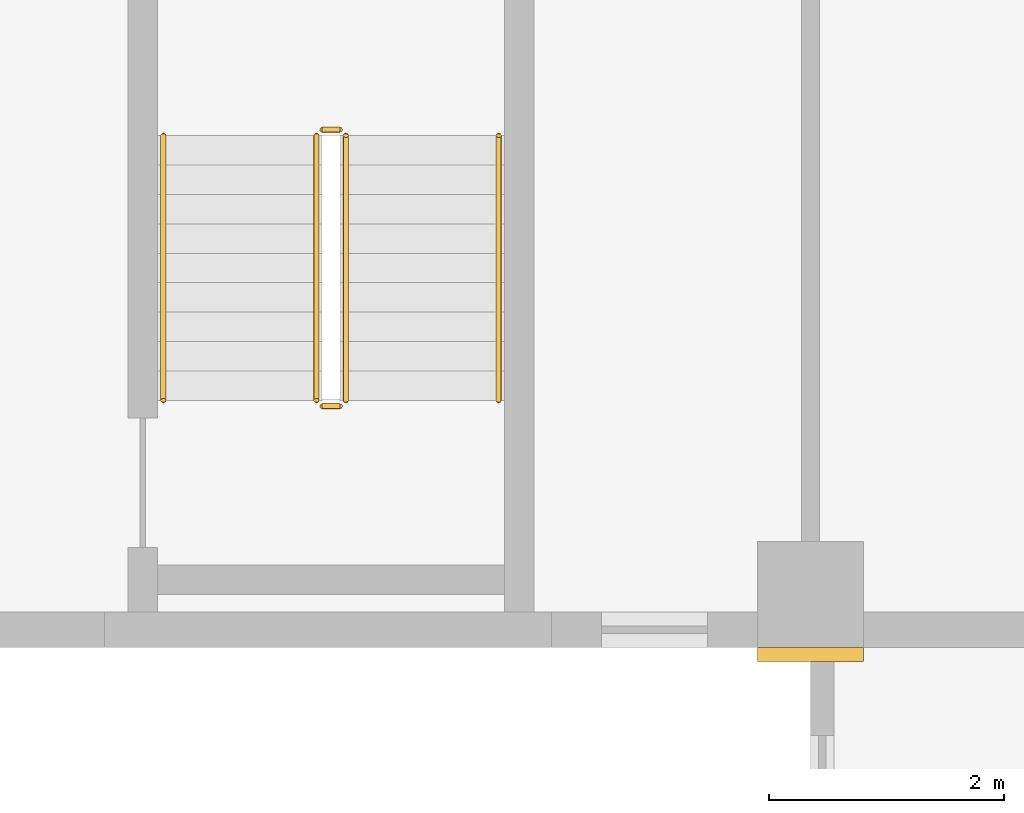
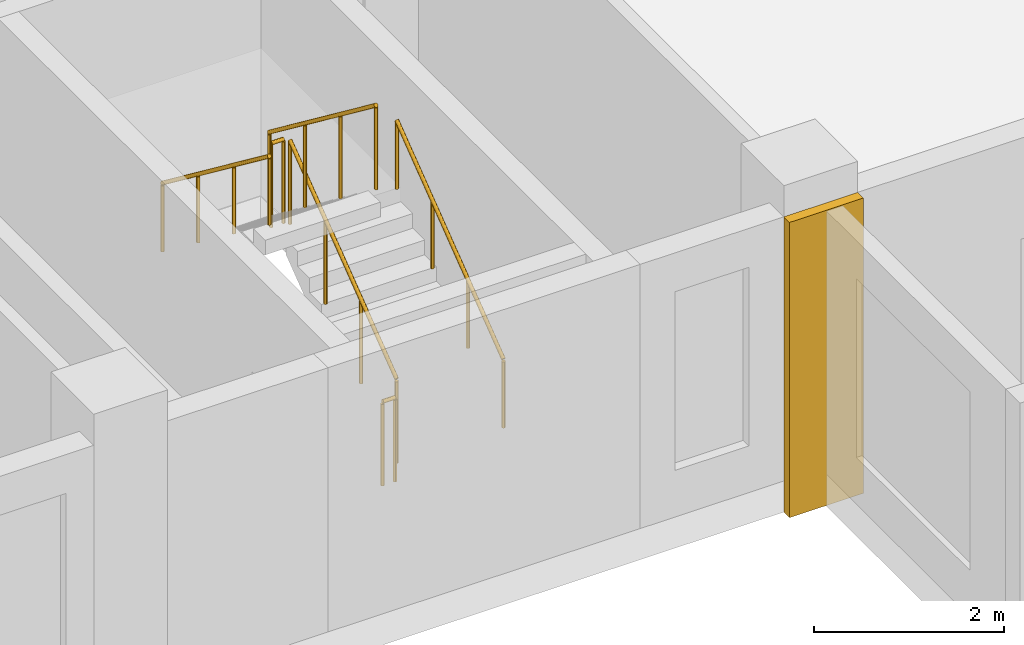
# One storey, part 11 of 12: 6 railings, 1 covering.
"""IFC4 building model written with IfcOpenShell, lengths in metres."""

from ifc_helpers import new_model, si_unit, direction, frame, origin, origin_2d, place, context, subcontext, project, spatial, rectangle, circle, extrude, source, transform, mapped, material, type_object, element, save


model = new_model("IFC4")

# Units and contexts
model_context = context("Model", 3, precision=1e-05, world=origin(), true_north=direction((0.0, 1.0)))
body_context = subcontext(model_context, "Body", "Model", "MODEL_VIEW")
ifc_project = project(units=[si_unit("LENGTHUNIT", "METRE"), si_unit("AREAUNIT", "SQUARE_METRE"), si_unit("VOLUMEUNIT", "CUBIC_METRE"), si_unit("PLANEANGLEUNIT", "RADIAN"), si_unit("MASSUNIT", "GRAM", prefix="KILO")], contexts=[model_context])

# Site, building, storey
site_placement = place(None, origin())
site = spatial("IfcSite", under=ifc_project, at=site_placement, CompositionType="ELEMENT")
building_placement = place(site_placement, origin())
building = spatial("IfcBuilding", under=site, at=building_placement, Name="Aurelian Terraces", CompositionType="ELEMENT")
storey_placement = place(building_placement, frame((0.0, 0.0, 223.4)))
storey = spatial("IfcBuildingStorey", under=building, at=storey_placement, Name="L50", CompositionType="ELEMENT", Elevation=223.4)

# Covering
ifc_material_1 = material(Name="Terracotta rainscreen cladding relief", Category="masonry")
covering_type = type_object("IfcCoveringType", Name="BAGUETTE-TC", PredefinedType="CLADDING", material=ifc_material_1)
shared_shape_1 = source(origin(), body_context, "Body", "SweptSolid", [
    extrude(rectangle(XDim=0.9, YDim=0.12, at=origin_2d()), origin(), (0.0, 0.0, 1.0), 3.8),
])
covering_placement = place(storey_placement, frame((46.2, -0.06, -0.4), z_axis=(0.0, 0.0, 1.0), x_axis=(1.0, 0.0, 0.0)))
element("IfcCovering", 1, at=covering_placement, inside=storey, type_object=covering_type, Name="BAGUETTE pier L50 3", PredefinedType="CLADDING", context=body_context, shape_type="MappedRepresentation", body=[
    mapped(shared_shape_1, transform((0.0, 0.0, 0.0), scale=1.0)),
])

# Railings
ifc_material_2 = material(Name="Stainless steel", Category="steel")
railing_type_1 = type_object("IfcRailingType", Name="Stair guard 1100", PredefinedType="GUARDRAIL", material=ifc_material_2)
shared_shape_2 = source(origin(), body_context, "Body", "SweptSolid", [
    extrude(circle(Radius=0.024, at=origin_2d()), frame((0.0, 0.0, 1.076), z_axis=(-1.0, 0.0, 0.0), x_axis=(0.0, -1.0, 0.0)), (0.0, 0.0, 1.0), 0.15),
    extrude(circle(Radius=0.021, at=origin_2d()), origin(), (0.0, 0.0, 1.0), 1.052),
    extrude(circle(Radius=0.021, at=origin_2d()), frame((-0.15, 0.0, 0.0)), (0.0, 0.0, 1.0), 1.052),
])
for number, where, name in (
    (2, (42.2, 4.4, 1.9), "L50 S2 stair guard 2"),
    (3, (42.2, 2.05, 0.0), "L50 S2 stair guard 4"),
):
    element("IfcRailing", number, at=place(storey_placement, frame(where)), inside=storey, type_object=railing_type_1, Name=name, PredefinedType="GUARDRAIL", context=body_context, shape_type="MappedRepresentation", body=[
        mapped(shared_shape_2, transform((0.0, 0.0, 0.0), scale=1.0)),
    ])
shared_shape_3 = source(origin(), body_context, "Body", "SweptSolid", [
    extrude(circle(Radius=0.024, at=origin_2d()), frame((0.0, 0.0, 1.076), z_axis=(0.0, 0.796162194123, 0.605083267534), x_axis=(-1.0, 0.0, 0.0)), (0.0, 0.0, 1.0), 2.8261),
    extrude(circle(Radius=0.021, at=origin_2d()), origin(), (0.0, 0.0, 1.0), 1.052),
    extrude(circle(Radius=0.021, at=origin_2d()), frame((0.0, 0.75, 0.57)), (0.0, 0.0, 1.0), 1.052),
    extrude(circle(Radius=0.021, at=origin_2d()), frame((0.0, 1.5, 1.14)), (0.0, 0.0, 1.0), 1.052),
    extrude(circle(Radius=0.021, at=origin_2d()), frame((0.0, 2.25, 1.71)), (0.0, 0.0, 1.0), 1.052),
])
railing_1_placement = place(storey_placement, frame((42.25, 2.1, 0.19)))
element("IfcRailing", 4, at=railing_1_placement, inside=storey, type_object=railing_type_1, Name="L50 S2 stair guard 1", PredefinedType="GUARDRAIL", context=body_context, shape_type="MappedRepresentation", body=[
    mapped(shared_shape_3, transform((0.0, 0.0, 0.0), scale=1.0)),
])
shared_shape_4 = source(origin(), body_context, "Body", "SweptSolid", [
    extrude(circle(Radius=0.024, at=origin_2d()), frame((0.0, 0.0, 1.076), z_axis=(0.0, -0.796162194123, 0.605083267534), x_axis=(1.0, 0.0, 0.0)), (0.0, 0.0, 1.0), 2.8261),
    extrude(circle(Radius=0.021, at=origin_2d()), origin(), (0.0, 0.0, 1.0), 1.052),
    extrude(circle(Radius=0.021, at=origin_2d()), frame((0.0, -0.75, 0.57)), (0.0, 0.0, 1.0), 1.052),
    extrude(circle(Radius=0.021, at=origin_2d()), frame((0.0, -1.5, 1.14)), (0.0, 0.0, 1.0), 1.052),
    extrude(circle(Radius=0.021, at=origin_2d()), frame((0.0, -2.25, 1.71)), (0.0, 0.0, 1.0), 1.052),
])
railing_2_placement = place(storey_placement, frame((42.0, 4.35, 2.09)))
element("IfcRailing", 5, at=railing_2_placement, inside=storey, type_object=railing_type_1, Name="L50 S2 stair guard 3", PredefinedType="GUARDRAIL", context=body_context, shape_type="MappedRepresentation", body=[
    mapped(shared_shape_4, transform((0.0, 0.0, 0.0), scale=1.0)),
])
railing_type_2 = type_object("IfcRailingType", Name="Stair handrail", PredefinedType="HANDRAIL", material=ifc_material_2)
shared_shape_5 = source(origin(), body_context, "Body", "SweptSolid", [
    extrude(circle(Radius=0.024, at=origin_2d()), frame((0.0, 0.0, 0.876), z_axis=(0.0, 0.796162194123, 0.605083267534), x_axis=(-1.0, 0.0, 0.0)), (0.0, 0.0, 1.0), 2.8261),
    extrude(circle(Radius=0.021, at=origin_2d()), origin(), (0.0, 0.0, 1.0), 0.852),
    extrude(circle(Radius=0.021, at=origin_2d()), frame((0.0, 0.75, 0.57)), (0.0, 0.0, 1.0), 0.852),
    extrude(circle(Radius=0.021, at=origin_2d()), frame((0.0, 1.5, 1.14)), (0.0, 0.0, 1.0), 0.852),
    extrude(circle(Radius=0.021, at=origin_2d()), frame((0.0, 2.25, 1.71)), (0.0, 0.0, 1.0), 0.852),
])
railing_3_placement = place(storey_placement, frame((43.55, 2.1, 0.19)))
element("IfcRailing", 6, at=railing_3_placement, inside=storey, type_object=railing_type_2, Name="L50 S2 stair handrail 1", PredefinedType="HANDRAIL", context=body_context, shape_type="MappedRepresentation", body=[
    mapped(shared_shape_5, transform((0.0, 0.0, 0.0), scale=1.0)),
])
shared_shape_6 = source(origin(), body_context, "Body", "SweptSolid", [
    extrude(circle(Radius=0.024, at=origin_2d()), frame((0.0, 0.0, 0.876), z_axis=(0.0, -0.796162194123, 0.605083267534), x_axis=(1.0, 0.0, 0.0)), (0.0, 0.0, 1.0), 2.8261),
    extrude(circle(Radius=0.021, at=origin_2d()), origin(), (0.0, 0.0, 1.0), 0.852),
    extrude(circle(Radius=0.021, at=origin_2d()), frame((0.0, -0.75, 0.57)), (0.0, 0.0, 1.0), 0.852),
    extrude(circle(Radius=0.021, at=origin_2d()), frame((0.0, -1.5, 1.14)), (0.0, 0.0, 1.0), 0.852),
    extrude(circle(Radius=0.021, at=origin_2d()), frame((0.0, -2.25, 1.71)), (0.0, 0.0, 1.0), 0.852),
])
railing_4_placement = place(storey_placement, frame((40.7, 4.35, 2.09)))
element("IfcRailing", 7, at=railing_4_placement, inside=storey, type_object=railing_type_2, Name="L50 S2 stair handrail 2", PredefinedType="HANDRAIL", context=body_context, shape_type="MappedRepresentation", body=[
    mapped(shared_shape_6, transform((0.0, 0.0, 0.0), scale=1.0)),
])

save(model, "model.ifc")
